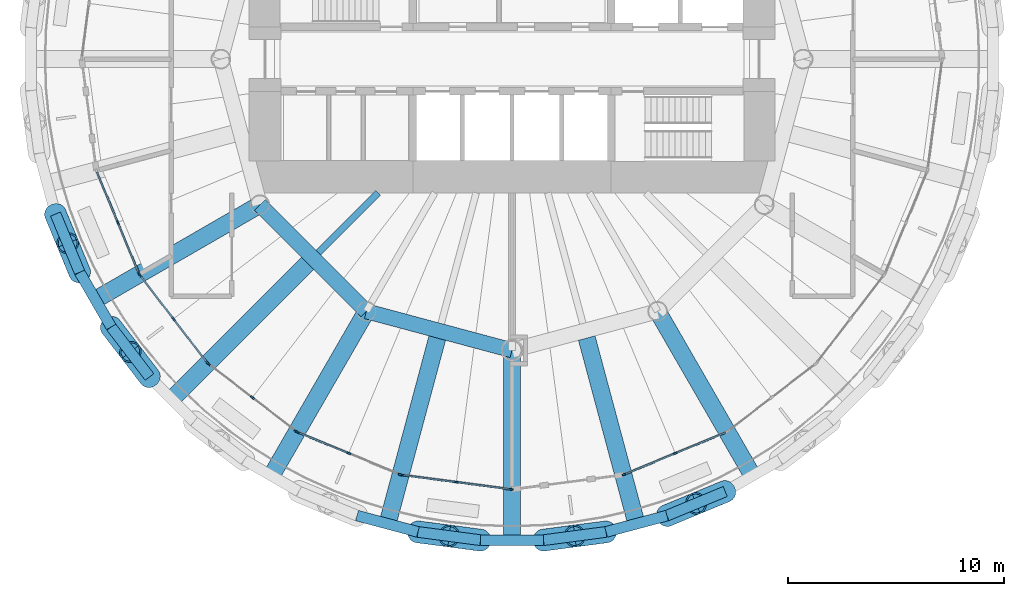
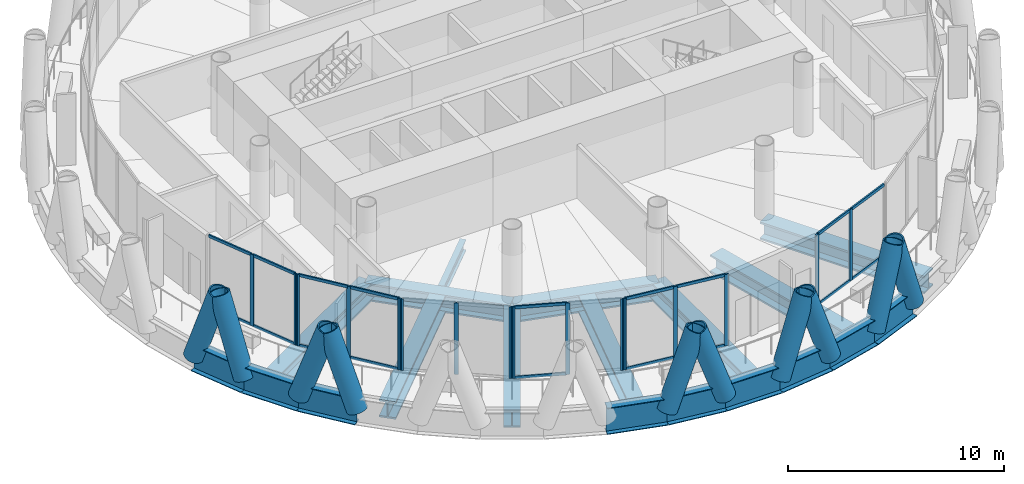
# One storey, part 2 of 14: 44 members, 19 beams, 6 elements without a shape of their own.
"""IFC4 building model written with IfcOpenShell, lengths in metres."""

import ifcopenshell
import ifcopenshell.guid

model = None  # the IFC model being written
_history = None  # IfcOwnerHistory: only IFC2X3 demands one
_inside = {}  # id of a spatial element -> (the spatial element, [elements in it])
_under = {}  # id of a project, library or spatial element -> (it, [spatial elements below it])
_declared = {}  # id of a project -> (the project, [libraries it declares])
_typed = {}  # id of a type object -> (the type object, [elements of that type])
_made_of = {}  # id of a material, layer set ... -> (it, [elements and type objects made of it])


def new_model(schema):
    """Start an empty IFC model of exactly this schema.

    Asked for "IFC4X3", IfcOpenShell would pick the latest addendum, in which some entities
    have other attributes; the version numbers below select the first issue.
    IFC2X3 requires an IfcOwnerHistory on every rooted entity: one is made here for all.
    """
    global model, _history
    if schema == "IFC4X3":
        model = ifcopenshell.file(schema_version=(4, 3, 0, 0))
    else:
        model = ifcopenshell.file(schema=schema)
    _inside.clear()
    _under.clear()
    _declared.clear()
    _typed.clear()
    _made_of.clear()
    _history = None
    if model.schema == "IFC2X3":
        org = make("IfcOrganization", Name="unknown")
        user = make(
            "IfcPersonAndOrganization",
            ThePerson=make("IfcPerson", FamilyName="unknown"),
            TheOrganization=org,
        )
        app = make(
            "IfcApplication",
            ApplicationDeveloper=org,
            Version="unknown",
            ApplicationFullName="unknown",
            ApplicationIdentifier="unknown",
        )
        _history = make(
            "IfcOwnerHistory",
            OwningUser=user,
            OwningApplication=app,
            ChangeAction="ADDED",
            CreationDate=0,
        )
    return model


def make(cls, **values):
    """One entity of the class cls with the attributes given. An attribute that is None is left unset."""
    return model.create_entity(
        cls, **{name: value for name, value in values.items() if value is not None}
    )


def rooted(cls, **values):
    """An entity with a GlobalId (a new one), such as an element, a storey or a relation."""
    return make(cls, GlobalId=ifcopenshell.guid.new(), OwnerHistory=_history, **values)


def si_unit(unit_type, name, prefix=None):
    """IfcSIUnit, for example si_unit("LENGTHUNIT", "METRE", prefix="MILLI")."""
    return make("IfcSIUnit", UnitType=unit_type, Prefix=prefix, Name=name)


def assignment(units):
    """IfcUnitAssignment: the units of a project."""
    return None if units is None else make("IfcUnitAssignment", Units=units)


def point(xyz):
    """IfcCartesianPoint."""
    return None if xyz is None else make("IfcCartesianPoint", Coordinates=xyz)


def direction(xyz):
    """IfcDirection."""
    return None if xyz is None else make("IfcDirection", DirectionRatios=xyz)


def frame(location, z_axis=None, x_axis=None):
    """IfcAxis2Placement3D, a coordinate frame: its origin and axes. An axis left out is left unset."""
    return make(
        "IfcAxis2Placement3D",
        Location=point(location),
        Axis=direction(z_axis),
        RefDirection=direction(x_axis),
    )


def frame_2d(location, x_axis=None):
    """IfcAxis2Placement2D, a coordinate frame in the plane: its origin and x axis."""
    return make(
        "IfcAxis2Placement2D", Location=point(location), RefDirection=direction(x_axis)
    )


def origin():
    """The frame at (0, 0, 0) with its axes left unset."""
    return frame((0.0, 0.0, 0.0))


def origin_2d():
    """The frame at (0, 0) in the plane with its x axis left unset."""
    return frame_2d((0.0, 0.0))


def place(relative_to, where):
    """IfcLocalPlacement: puts the frame where relative to a parent placement (None: the world)."""
    return make(
        "IfcLocalPlacement", PlacementRelTo=relative_to, RelativePlacement=where
    )


def context(
    kind, dimensions, precision=None, world=None, true_north=None, identifier=None
):
    """IfcGeometricRepresentationContext, for example the 3D "Model" context."""
    return make(
        "IfcGeometricRepresentationContext",
        ContextIdentifier=identifier,
        ContextType=kind,
        CoordinateSpaceDimension=dimensions,
        Precision=precision,
        WorldCoordinateSystem=world,
        TrueNorth=true_north,
    )


def subcontext(parent, identifier, kind, view, scale=None):
    """IfcGeometricRepresentationSubContext, for example "Body" below "Model"."""
    return make(
        "IfcGeometricRepresentationSubContext",
        ContextIdentifier=identifier,
        ContextType=kind,
        ParentContext=parent,
        TargetScale=scale,
        TargetView=view,
    )


def project(units=None, contexts=None):
    """IfcProject with its units and contexts."""
    return rooted(
        "IfcProject",
        Name="project",
        RepresentationContexts=contexts,
        UnitsInContext=assignment(units),
    )


def spatial(cls, under=None, at=None, **own):
    """A site, building, storey or space (cls), placed at a placement, below another one or the project."""
    s = rooted(cls, ObjectPlacement=at, **own)
    if under is not None:
        _under.setdefault(under.id(), (under, []))[1].append(s)
    return s


def profile(cls, at=None, kind="AREA", **sizes):
    """A parametric profile (cls). Its sizes go by their IFC names, for example OverallWidth=200.0."""
    return make(cls, ProfileType=kind, Position=at, **sizes)


def rectangle(**sizes):
    """IfcRectangleProfileDef."""
    return profile("IfcRectangleProfileDef", **sizes)


def hollow_circle(**sizes):
    """IfcCircleHollowProfileDef."""
    return profile("IfcCircleHollowProfileDef", **sizes)


def i_section(**sizes):
    """IfcIShapeProfileDef."""
    return profile("IfcIShapeProfileDef", **sizes)


def extrude(swept, where, along, depth):
    """IfcExtrudedAreaSolid: the profile swept, set in the frame where, extruded along a direction by depth."""
    return make(
        "IfcExtrudedAreaSolid",
        SweptArea=swept,
        Position=where,
        ExtrudedDirection=direction(along),
        Depth=depth,
    )


def shape(context_of_items, identifier, shape_type, items):
    """IfcShapeRepresentation: the items that make up one representation, for example the "Body"."""
    return make(
        "IfcShapeRepresentation",
        ContextOfItems=context_of_items,
        RepresentationIdentifier=identifier,
        RepresentationType=shape_type,
        Items=items,
    )


def material(Name=None, Category=None):
    """IfcMaterial."""
    return make("IfcMaterial", Name=Name, Category=Category)


def material_profile(
    of_material, cross_section, Name=None, Category=None, Priority=None
):
    """IfcMaterialProfile: a cross section and its material."""
    return make(
        "IfcMaterialProfile",
        Name=Name,
        Material=of_material,
        Profile=cross_section,
        Priority=Priority,
        Category=Category,
    )


def profile_set(profiles, Name=None, composite=None):
    """IfcMaterialProfileSet."""
    return make(
        "IfcMaterialProfileSet",
        Name=Name,
        MaterialProfiles=profiles,
        CompositeProfile=composite,
    )


def made_of(thing, what):
    """Note that an element or type object is made of a material, layer set ...; save() writes the relation."""
    if what is not None:
        _made_of.setdefault(what.id(), (what, []))[1].append(thing)
    return thing


def type_object(cls, material=None, **own):
    """A type object (cls), such as IfcWallType, which elements share."""
    return made_of(rooted(cls, **own), material)


def element(
    cls,
    number,
    at=None,
    inside=None,
    cuts=None,
    type_object=None,
    material=None,
    context=None,
    identifier="Body",
    shape_type=None,
    held_by="IfcProductDefinitionShape",
    body=None,
    shapes=None,
    **own,
):
    """One element of the class cls, such as IfcWall. Its Tag is "e" and its number.

    at: its placement. inside: the storey or other place that contains it. cuts: it is an
    opening in that element (IfcRelVoidsElement). A single representation is given by context,
    identifier, shape_type and body (its items); several are given by shapes. held_by: the class
    of the entity that holds the representations. save() writes the other relations.
    """
    e = rooted(cls, Tag="e%d" % number, ObjectPlacement=at, **own)
    if body is not None:
        shapes = [shape(context, identifier, shape_type, body)]
    if shapes is not None:
        e.Representation = make(held_by, Representations=shapes)
    if inside is not None:
        _inside.setdefault(inside.id(), (inside, []))[1].append(e)
    if cuts is not None:
        rooted(
            "IfcRelVoidsElement", RelatingBuildingElement=cuts, RelatedOpeningElement=e
        )
    if type_object is not None:
        _typed.setdefault(type_object.id(), (type_object, []))[1].append(e)
    return made_of(e, material)


def aggregate(whole, parts):
    """IfcRelAggregates: a whole, such as a stair, and the parts it consists of."""
    return rooted("IfcRelAggregates", RelatingObject=whole, RelatedObjects=parts)


def save(model, path):
    """Write the relations noted so far, then the file.

    IfcRelAggregates (storeys below a building ...), IfcRelContainedInSpatialStructure (elements
    in a storey), IfcRelDefinesByType, IfcRelAssociatesMaterial and IfcRelDeclares: one each for
    every whole, place, type object, material and project.
    """
    for whole, parts in _under.values():
        aggregate(whole, parts)
    for where, things in _inside.values():
        rooted(
            "IfcRelContainedInSpatialStructure",
            RelatedElements=things,
            RelatingStructure=where,
        )
    for kind, things in _typed.values():
        rooted("IfcRelDefinesByType", RelatedObjects=things, RelatingType=kind)
    for what, things in _made_of.values():
        rooted("IfcRelAssociatesMaterial", RelatedObjects=things, RelatingMaterial=what)
    for by, libraries in _declared.values():
        rooted("IfcRelDeclares", RelatingContext=by, RelatedDefinitions=libraries)
    model.write(path)


model = new_model("IFC4")

# Units and contexts
model_context = context("Model", 3, precision=1e-05, world=origin(), true_north=direction((0.0, 1.0)))
body_context = subcontext(model_context, "Body", "Model", "MODEL_VIEW")
ifc_project = project(units=[si_unit("LENGTHUNIT", "METRE"), si_unit("AREAUNIT", "SQUARE_METRE"), si_unit("VOLUMEUNIT", "CUBIC_METRE"), si_unit("PLANEANGLEUNIT", "RADIAN"), si_unit("MASSUNIT", "GRAM", prefix="KILO")], contexts=[model_context])

# Site, building, storey
site_placement = place(None, origin())
site = spatial("IfcSite", under=ifc_project, at=site_placement, CompositionType="ELEMENT")
building_placement = place(site_placement, origin())
building = spatial("IfcBuilding", under=site, at=building_placement, Name="Qaws Media Tower", CompositionType="ELEMENT")
storey_placement = place(building_placement, frame((0.0, 0.0, 248.60009765625)))
storey = spatial("IfcBuildingStorey", under=building, at=storey_placement, Name="L57", CompositionType="ELEMENT", Elevation=248.60009765625)

# Curtain wall, members
ifc_material_1 = material(Name="Aluminium and clear glass", Category="aluminium")
curtain_wall_type = type_object("IfcCurtainWallType", Name="Unitised curtain wall CW-C", PredefinedType="NOTDEFINED", material=ifc_material_1)
curtain_wall_1_placement = place(storey_placement, origin())
curtain_wall_1 = element("IfcCurtainWall", 1, at=curtain_wall_1_placement, inside=storey, type_object=curtain_wall_type, Name="CWC curtain wall L57-14", PredefinedType="NOTDEFINED")
ifc_material_2 = material(Name="Aluminium mullion", Category="aluminium")
ifc_material_profile_1 = material_profile(ifc_material_2, rectangle(XDim=0.080078125, YDim=0.199951171875, at=origin_2d()), Name="80x200")
ifc_profile_set_1 = profile_set([ifc_material_profile_1], Name="Aluminium mullion")
member_type_1 = type_object("IfcMemberType", Name="Curtain wall mullion 80x200", PredefinedType="MULLION", material=ifc_profile_set_1)
member_1_placement = place(storey_placement, frame((41.726318359375, 42.4306640625, 0.0), z_axis=(0.0, 0.0, 1.0), x_axis=(0.923879560223, 0.382683365464, 0.0)))
member_1 = element("IfcMember", 2, at=member_1_placement, type_object=member_type_1, Name="CWC mullion 2", PredefinedType="MULLION", context=body_context, shape_type="SweptSolid", body=[
    extrude(rectangle(XDim=0.080078125, YDim=0.199951171875, at=origin_2d()), origin(), (0.0, 0.0, 1.0), 4.039794921875),
])
member_2_placement = place(storey_placement, frame((42.70751953125, 40.06201171875, 0.0), z_axis=(0.0, 0.0, 1.0), x_axis=(0.923879560223, 0.382683365464, 0.0)))
member_2 = element("IfcMember", 3, at=member_2_placement, type_object=member_type_1, Name="CWC mullion 3", PredefinedType="MULLION", context=body_context, shape_type="SweptSolid", body=[
    extrude(rectangle(XDim=0.080078125, YDim=0.199951171875, at=origin_2d()), origin(), (0.0, 0.0, 1.0), 4.039794921875),
])

curtain_wall_2_placement = place(storey_placement, origin())
curtain_wall_2 = element("IfcCurtainWall", 4, at=curtain_wall_2_placement, inside=storey, type_object=curtain_wall_type, Name="CWC curtain wall L57-15", PredefinedType="NOTDEFINED")
member_3_placement = place(storey_placement, frame((42.7470703125, 39.9931640625, 0.0), z_axis=(0.0, 0.0, 1.0), x_axis=(0.793353275596, 0.608761513321, 0.0)))
member_3 = element("IfcMember", 5, at=member_3_placement, type_object=member_type_1, Name="CWC mullion 1", PredefinedType="MULLION", context=body_context, shape_type="SweptSolid", body=[
    extrude(rectangle(XDim=0.080078125, YDim=0.199951171875, at=origin_2d()), origin(), (0.0, 0.0, 1.0), 4.039794921875),
])
member_4_placement = place(storey_placement, frame((44.30810546875, 37.959228515625, 0.0), z_axis=(0.0, 0.0, 1.0), x_axis=(0.793353275596, 0.608761513321, 0.0)))
member_4 = element("IfcMember", 6, at=member_4_placement, type_object=member_type_1, Name="CWC mullion 2", PredefinedType="MULLION", context=body_context, shape_type="SweptSolid", body=[
    extrude(rectangle(XDim=0.080078125, YDim=0.199951171875, at=origin_2d()), origin(), (0.0, 0.0, 1.0), 4.039794921875),
])
member_5_placement = place(storey_placement, frame((45.868896484375, 35.925048828125, 0.0), z_axis=(0.0, 0.0, 1.0), x_axis=(0.793353275596, 0.608761513321, 0.0)))
member_5 = element("IfcMember", 7, at=member_5_placement, type_object=member_type_1, Name="CWC mullion 3", PredefinedType="MULLION", context=body_context, shape_type="SweptSolid", body=[
    extrude(rectangle(XDim=0.080078125, YDim=0.199951171875, at=origin_2d()), origin(), (0.0, 0.0, 1.0), 4.039794921875),
])

curtain_wall_3_placement = place(storey_placement, origin())
curtain_wall_3 = element("IfcCurtainWall", 8, at=curtain_wall_3_placement, inside=storey, type_object=curtain_wall_type, Name="CWC curtain wall L57-16", PredefinedType="NOTDEFINED")
member_6_placement = place(storey_placement, frame((45.925048828125, 35.868896484375, 0.0), z_axis=(0.0, 0.0, 1.0), x_axis=(0.608761513321, 0.793353275596, 0.0)))
member_6 = element("IfcMember", 9, at=member_6_placement, type_object=member_type_1, Name="CWC mullion 1", PredefinedType="MULLION", context=body_context, shape_type="SweptSolid", body=[
    extrude(rectangle(XDim=0.080078125, YDim=0.199951171875, at=origin_2d()), origin(), (0.0, 0.0, 1.0), 4.039794921875),
])
member_7_placement = place(storey_placement, frame((47.959228515625, 34.30810546875, 0.0), z_axis=(0.0, 0.0, 1.0), x_axis=(0.608761513321, 0.793353275596, 0.0)))
member_7 = element("IfcMember", 10, at=member_7_placement, type_object=member_type_1, Name="CWC mullion 2", PredefinedType="MULLION", context=body_context, shape_type="SweptSolid", body=[
    extrude(rectangle(XDim=0.080078125, YDim=0.199951171875, at=origin_2d()), origin(), (0.0, 0.0, 1.0), 4.039794921875),
])
member_8_placement = place(storey_placement, frame((49.9931640625, 32.7470703125, 0.0), z_axis=(0.0, 0.0, 1.0), x_axis=(0.608761513321, 0.793353275596, 0.0)))
member_8 = element("IfcMember", 11, at=member_8_placement, type_object=member_type_1, Name="CWC mullion 3", PredefinedType="MULLION", context=body_context, shape_type="SweptSolid", body=[
    extrude(rectangle(XDim=0.080078125, YDim=0.199951171875, at=origin_2d()), origin(), (0.0, 0.0, 1.0), 4.039794921875),
])
aggregate(curtain_wall_3, [member_6, member_7, member_8])

curtain_wall_4_placement = place(storey_placement, origin())
curtain_wall_4 = element("IfcCurtainWall", 12, at=curtain_wall_4_placement, inside=storey, type_object=curtain_wall_type, Name="CWC curtain wall L57-17", PredefinedType="NOTDEFINED")
member_9_placement = place(storey_placement, frame((50.06201171875, 32.70751953125, 0.0), z_axis=(0.0, 0.0, 1.0), x_axis=(0.382683365464, 0.923879560223, 0.0)))
member_9 = element("IfcMember", 13, at=member_9_placement, type_object=member_type_1, Name="CWC mullion 1", PredefinedType="MULLION", context=body_context, shape_type="SweptSolid", body=[
    extrude(rectangle(XDim=0.080078125, YDim=0.199951171875, at=origin_2d()), origin(), (0.0, 0.0, 1.0), 4.039794921875),
])
member_10_placement = place(storey_placement, frame((52.4306640625, 31.726318359375, 0.0), z_axis=(0.0, 0.0, 1.0), x_axis=(0.382683365464, 0.923879560223, 0.0)))
member_10 = element("IfcMember", 14, at=member_10_placement, type_object=member_type_1, Name="CWC mullion 2", PredefinedType="MULLION", context=body_context, shape_type="SweptSolid", body=[
    extrude(rectangle(XDim=0.080078125, YDim=0.199951171875, at=origin_2d()), origin(), (0.0, 0.0, 1.0), 4.039794921875),
])
member_11_placement = place(storey_placement, frame((54.799560546875, 30.7451171875, 0.0), z_axis=(0.0, 0.0, 1.0), x_axis=(0.382683365464, 0.923879560223, 0.0)))
member_11 = element("IfcMember", 15, at=member_11_placement, type_object=member_type_1, Name="CWC mullion 3", PredefinedType="MULLION", context=body_context, shape_type="SweptSolid", body=[
    extrude(rectangle(XDim=0.080078125, YDim=0.199951171875, at=origin_2d()), origin(), (0.0, 0.0, 1.0), 4.039794921875),
])

curtain_wall_5_placement = place(storey_placement, origin())
curtain_wall_5 = element("IfcCurtainWall", 16, at=curtain_wall_5_placement, inside=storey, type_object=curtain_wall_type, Name="CWC curtain wall L57-18", PredefinedType="NOTDEFINED")
member_12_placement = place(storey_placement, frame((54.876220703125, 30.724609375, 0.0), z_axis=(0.0, 0.0, 1.0), x_axis=(0.13052623522, 0.991444855713, 0.0)))
member_12 = element("IfcMember", 17, at=member_12_placement, type_object=member_type_1, Name="CWC mullion 1", PredefinedType="MULLION", context=body_context, shape_type="SweptSolid", body=[
    extrude(rectangle(XDim=0.080078125, YDim=0.199951171875, at=origin_2d()), origin(), (0.0, 0.0, 1.0), 4.039794921875),
])
member_13_placement = place(storey_placement, frame((57.418212890625, 30.389892578125, 0.0), z_axis=(0.0, 0.0, 1.0), x_axis=(0.13052623522, 0.991444855713, 0.0)))
member_13 = element("IfcMember", 18, at=member_13_placement, type_object=member_type_1, Name="CWC mullion 2", PredefinedType="MULLION", context=body_context, shape_type="SweptSolid", body=[
    extrude(rectangle(XDim=0.080078125, YDim=0.199951171875, at=origin_2d()), origin(), (0.0, 0.0, 1.0), 4.039794921875),
])
member_14_placement = place(storey_placement, frame((59.96044921875, 30.05517578125, 0.0), z_axis=(0.0, 0.0, 1.0), x_axis=(0.13052623522, 0.991444855713, 0.0)))
member_14 = element("IfcMember", 19, at=member_14_placement, type_object=member_type_1, Name="CWC mullion 3", PredefinedType="MULLION", context=body_context, shape_type="SweptSolid", body=[
    extrude(rectangle(XDim=0.080078125, YDim=0.199951171875, at=origin_2d()), origin(), (0.0, 0.0, 1.0), 4.039794921875),
])

curtain_wall_6_placement = place(storey_placement, origin())
curtain_wall_6 = element("IfcCurtainWall", 20, at=curtain_wall_6_placement, inside=storey, type_object=curtain_wall_type, Name="CWC curtain wall L57-20", PredefinedType="NOTDEFINED")
member_15_placement = place(storey_placement, frame((65.200439453125, 30.7451171875, 0.0), z_axis=(0.0, 0.0, 1.0), x_axis=(-0.382683365464, 0.923879560223, 0.0)))
member_15 = element("IfcMember", 21, at=member_15_placement, type_object=member_type_1, Name="CWC mullion 1", PredefinedType="MULLION", context=body_context, shape_type="SweptSolid", body=[
    extrude(rectangle(XDim=0.080078125, YDim=0.199951171875, at=origin_2d()), origin(), (0.0, 0.0, 1.0), 4.039794921875),
])
member_16_placement = place(storey_placement, frame((67.5693359375, 31.726318359375, 0.0), z_axis=(0.0, 0.0, 1.0), x_axis=(-0.382683365464, 0.923879560223, 0.0)))
member_16 = element("IfcMember", 22, at=member_16_placement, type_object=member_type_1, Name="CWC mullion 2", PredefinedType="MULLION", context=body_context, shape_type="SweptSolid", body=[
    extrude(rectangle(XDim=0.080078125, YDim=0.199951171875, at=origin_2d()), origin(), (0.0, 0.0, 1.0), 4.039794921875),
])

# Member
ifc_material_3 = material(Name="Aluminium transom", Category="aluminium")
ifc_material_profile_2 = material_profile(ifc_material_3, rectangle(XDim=0.080078125, YDim=0.159912109375, at=origin_2d()), Name="80x160")
ifc_profile_set_2 = profile_set([ifc_material_profile_2], Name="Aluminium transom")
member_type_2 = type_object("IfcMemberType", Name="Curtain wall transom 80x160", PredefinedType="USERDEFINED", material=ifc_profile_set_2)
member_17_placement = place(storey_placement, frame((40.760498046875, 44.7626953125, 0.039794921875), z_axis=(0.382632467655, -0.923900641139, 0.0), x_axis=(0.923900641139, 0.382632467655, 0.0)))
member_17 = element("IfcMember", 23, at=member_17_placement, type_object=member_type_2, Name="CWC transom 1.1", ObjectType="TRANSOM", PredefinedType="USERDEFINED", context=body_context, shape_type="SweptSolid", body=[
    extrude(rectangle(XDim=0.080078125, YDim=0.159912109375, at=origin_2d()), origin(), (0.0, 0.0, 1.0), 2.48388671875),
])

member_18_placement = place(storey_placement, frame((40.760498046875, 44.7626953125, 4.0), z_axis=(0.382632467655, -0.923900641139, 0.0), x_axis=(0.923900641139, 0.382632467655, 0.0)))
member_18 = element("IfcMember", 24, at=member_18_placement, type_object=member_type_2, Name="CWC transom 1.2", ObjectType="TRANSOM", PredefinedType="USERDEFINED", context=body_context, shape_type="SweptSolid", body=[
    extrude(rectangle(XDim=0.080078125, YDim=0.159912109375, at=origin_2d()), origin(), (0.0, 0.0, 1.0), 2.48388671875),
])

member_19_placement = place(storey_placement, frame((41.74169921875, 42.393798828125, 0.039794921875), z_axis=(0.382632467655, -0.923900641139, 0.0), x_axis=(0.923900641139, 0.382632467655, 0.0)))
member_19 = element("IfcMember", 25, at=member_19_placement, type_object=member_type_2, Name="CWC transom 2.1", ObjectType="TRANSOM", PredefinedType="USERDEFINED", context=body_context, shape_type="SweptSolid", body=[
    extrude(rectangle(XDim=0.080078125, YDim=0.159912109375, at=origin_2d()), origin(), (0.0, 0.0, 1.0), 2.48388671875),
])

member_20_placement = place(storey_placement, frame((41.74169921875, 42.393798828125, 4.0), z_axis=(0.382632467655, -0.923900641139, 0.0), x_axis=(0.923900641139, 0.382632467655, 0.0)))
member_20 = element("IfcMember", 26, at=member_20_placement, type_object=member_type_2, Name="CWC transom 2.2", ObjectType="TRANSOM", PredefinedType="USERDEFINED", context=body_context, shape_type="SweptSolid", body=[
    extrude(rectangle(XDim=0.080078125, YDim=0.159912109375, at=origin_2d()), origin(), (0.0, 0.0, 1.0), 2.48388671875),
])

aggregate(curtain_wall_1, [member_1, member_2, member_17, member_18, member_19, member_20])

member_21_placement = place(storey_placement, frame((42.771484375, 39.96142578125, 0.039794921875), z_axis=(0.608769876249, -0.793346858424, 0.0), x_axis=(0.793346858424, 0.608769876249, 0.0)))
member_21 = element("IfcMember", 27, at=member_21_placement, type_object=member_type_2, Name="CWC transom 1.1", ObjectType="TRANSOM", PredefinedType="USERDEFINED", context=body_context, shape_type="SweptSolid", body=[
    extrude(rectangle(XDim=0.080078125, YDim=0.159912109375, at=origin_2d()), origin(), (0.0, 0.0, 1.0), 2.484130859375),
])

member_22_placement = place(storey_placement, frame((42.771484375, 39.96142578125, 4.0), z_axis=(0.608769876249, -0.793346858424, 0.0), x_axis=(0.793346858424, 0.608769876249, 0.0)))
member_22 = element("IfcMember", 28, at=member_22_placement, type_object=member_type_2, Name="CWC transom 1.2", ObjectType="TRANSOM", PredefinedType="USERDEFINED", context=body_context, shape_type="SweptSolid", body=[
    extrude(rectangle(XDim=0.080078125, YDim=0.159912109375, at=origin_2d()), origin(), (0.0, 0.0, 1.0), 2.484130859375),
])

member_23_placement = place(storey_placement, frame((44.332275390625, 37.927490234375, 0.039794921875), z_axis=(0.608769876249, -0.793346858424, 0.0), x_axis=(0.793346858424, 0.608769876249, 0.0)))
member_23 = element("IfcMember", 29, at=member_23_placement, type_object=member_type_2, Name="CWC transom 2.1", ObjectType="TRANSOM", PredefinedType="USERDEFINED", context=body_context, shape_type="SweptSolid", body=[
    extrude(rectangle(XDim=0.080078125, YDim=0.159912109375, at=origin_2d()), origin(), (0.0, 0.0, 1.0), 2.484130859375),
])

member_24_placement = place(storey_placement, frame((44.332275390625, 37.927490234375, 4.0), z_axis=(0.608769876249, -0.793346858424, 0.0), x_axis=(0.793346858424, 0.608769876249, 0.0)))
member_24 = element("IfcMember", 30, at=member_24_placement, type_object=member_type_2, Name="CWC transom 2.2", ObjectType="TRANSOM", PredefinedType="USERDEFINED", context=body_context, shape_type="SweptSolid", body=[
    extrude(rectangle(XDim=0.080078125, YDim=0.159912109375, at=origin_2d()), origin(), (0.0, 0.0, 1.0), 2.484130859375),
])

aggregate(curtain_wall_2, [member_3, member_4, member_5, member_21, member_22, member_23, member_24])

member_25_placement = place(storey_placement, frame((50.098876953125, 32.692138671875, 0.039794921875), z_axis=(0.923900641139, -0.382632467655, 0.0), x_axis=(0.382632467655, 0.923900641139, 0.0)))
member_25 = element("IfcMember", 31, at=member_25_placement, type_object=member_type_2, Name="CWC transom 1.1", ObjectType="TRANSOM", PredefinedType="USERDEFINED", context=body_context, shape_type="SweptSolid", body=[
    extrude(rectangle(XDim=0.080078125, YDim=0.159912109375, at=origin_2d()), origin(), (0.0, 0.0, 1.0), 2.48388671875),
])

member_26_placement = place(storey_placement, frame((50.098876953125, 32.692138671875, 4.0), z_axis=(0.923900641139, -0.382632467655, 0.0), x_axis=(0.382632467655, 0.923900641139, 0.0)))
member_26 = element("IfcMember", 32, at=member_26_placement, type_object=member_type_2, Name="CWC transom 1.2", ObjectType="TRANSOM", PredefinedType="USERDEFINED", context=body_context, shape_type="SweptSolid", body=[
    extrude(rectangle(XDim=0.080078125, YDim=0.159912109375, at=origin_2d()), origin(), (0.0, 0.0, 1.0), 2.48388671875),
])

aggregate(curtain_wall_4, [member_9, member_10, member_11, member_25, member_26])

member_27_placement = place(storey_placement, frame((54.915771484375, 30.71923828125, 0.039794921875), z_axis=(0.991446265366, -0.130515527399, 0.0), x_axis=(0.130515527399, 0.991446265366, 0.0)))
member_27 = element("IfcMember", 33, at=member_27_placement, type_object=member_type_2, Name="CWC transom 1.1", ObjectType="TRANSOM", PredefinedType="USERDEFINED", context=body_context, shape_type="SweptSolid", body=[
    extrude(rectangle(XDim=0.080078125, YDim=0.159912109375, at=origin_2d()), origin(), (0.0, 0.0, 1.0), 2.484130859375),
])

member_28_placement = place(storey_placement, frame((54.915771484375, 30.71923828125, 4.0), z_axis=(0.991446265366, -0.130515527399, 0.0), x_axis=(0.130515527399, 0.991446265366, 0.0)))
member_28 = element("IfcMember", 34, at=member_28_placement, type_object=member_type_2, Name="CWC transom 1.2", ObjectType="TRANSOM", PredefinedType="USERDEFINED", context=body_context, shape_type="SweptSolid", body=[
    extrude(rectangle(XDim=0.080078125, YDim=0.159912109375, at=origin_2d()), origin(), (0.0, 0.0, 1.0), 2.484130859375),
])

member_29_placement = place(storey_placement, frame((57.4580078125, 30.384765625, 0.039794921875), z_axis=(0.991444590994, -0.130528245944, 0.0), x_axis=(0.130528245944, 0.991444590994, 0.0)))
member_29 = element("IfcMember", 35, at=member_29_placement, type_object=member_type_2, Name="CWC transom 2.1", ObjectType="TRANSOM", PredefinedType="USERDEFINED", context=body_context, shape_type="SweptSolid", body=[
    extrude(rectangle(XDim=0.080078125, YDim=0.159912109375, at=origin_2d()), origin(), (0.0, 0.0, 1.0), 2.48388671875),
])

member_30_placement = place(storey_placement, frame((57.4580078125, 30.384765625, 4.0), z_axis=(0.991444590994, -0.130528245944, 0.0), x_axis=(0.130528245944, 0.991444590994, 0.0)))
member_30 = element("IfcMember", 36, at=member_30_placement, type_object=member_type_2, Name="CWC transom 2.2", ObjectType="TRANSOM", PredefinedType="USERDEFINED", context=body_context, shape_type="SweptSolid", body=[
    extrude(rectangle(XDim=0.080078125, YDim=0.159912109375, at=origin_2d()), origin(), (0.0, 0.0, 1.0), 2.48388671875),
])

aggregate(curtain_wall_5, [member_12, member_13, member_14, member_27, member_28, member_29, member_30])

member_31_placement = place(storey_placement, frame((65.2373046875, 30.760498046875, 0.039794921875), z_axis=(0.923900641139, 0.382632467655, 0.0), x_axis=(-0.382632467655, 0.923900641139, 0.0)))
member_31 = element("IfcMember", 37, at=member_31_placement, type_object=member_type_2, Name="CWC transom 1.1", ObjectType="TRANSOM", PredefinedType="USERDEFINED", context=body_context, shape_type="SweptSolid", body=[
    extrude(rectangle(XDim=0.080078125, YDim=0.159912109375, at=origin_2d()), origin(), (0.0, 0.0, 1.0), 2.48388671875),
])

member_32_placement = place(storey_placement, frame((65.2373046875, 30.760498046875, 4.0), z_axis=(0.923900641139, 0.382632467655, 0.0), x_axis=(-0.382632467655, 0.923900641139, 0.0)))
member_32 = element("IfcMember", 38, at=member_32_placement, type_object=member_type_2, Name="CWC transom 1.2", ObjectType="TRANSOM", PredefinedType="USERDEFINED", context=body_context, shape_type="SweptSolid", body=[
    extrude(rectangle(XDim=0.080078125, YDim=0.159912109375, at=origin_2d()), origin(), (0.0, 0.0, 1.0), 2.48388671875),
])

member_33_placement = place(storey_placement, frame((67.606201171875, 31.74169921875, 0.039794921875), z_axis=(0.923900641139, 0.382632467655, 0.0), x_axis=(-0.382632467655, 0.923900641139, 0.0)))
member_33 = element("IfcMember", 39, at=member_33_placement, type_object=member_type_2, Name="CWC transom 2.1", ObjectType="TRANSOM", PredefinedType="USERDEFINED", context=body_context, shape_type="SweptSolid", body=[
    extrude(rectangle(XDim=0.080078125, YDim=0.159912109375, at=origin_2d()), origin(), (0.0, 0.0, 1.0), 2.48388671875),
])

member_34_placement = place(storey_placement, frame((67.606201171875, 31.74169921875, 4.0), z_axis=(0.923900641139, 0.382632467655, 0.0), x_axis=(-0.382632467655, 0.923900641139, 0.0)))
member_34 = element("IfcMember", 40, at=member_34_placement, type_object=member_type_2, Name="CWC transom 2.2", ObjectType="TRANSOM", PredefinedType="USERDEFINED", context=body_context, shape_type="SweptSolid", body=[
    extrude(rectangle(XDim=0.080078125, YDim=0.159912109375, at=origin_2d()), origin(), (0.0, 0.0, 1.0), 2.48388671875),
])

aggregate(curtain_wall_6, [member_15, member_16, member_31, member_32, member_33, member_34])

# Members
ifc_material_4 = material(Name="Steel S460", Category="steel")
ifc_material_profile_3 = material_profile(ifc_material_4, hollow_circle(Radius=0.508056640625, WallThickness=0.070068359375, at=origin_2d()), Name="CHS 1016x70")
ifc_profile_set_3 = profile_set([ifc_material_profile_3], Name="Steel S460")
member_type_3 = type_object("IfcMemberType", Name="Diagrid member CHS 1016x70", PredefinedType="USERDEFINED", material=ifc_profile_set_3)
for number, where, z_axis, x_axis, name in (
    (41, (38.836181640625, 42.81591796875, -0.91015625), (0.126212332869, -0.303535445165, 0.944423994062), (0.923358307497, 0.383939364973, 0.0), "DG3 diagrid L57 A14"),
    (42, (41.416748046875, 37.5830078125, -0.91015625), (0.200438651735, -0.2604988777, 0.944438818351), (0.792543262775, 0.609815690704, 0.0), "DG3 diagrid L57 A15"),
    (43, (39.954833984375, 40.11474609375, -0.91015625), (-0.125335260643, 0.303868010364, 0.944433854072), (-0.924449640149, -0.381304160517, 0.0), "DG3 diagrid L57 B15"),
    (44, (43.1962890625, 35.263671875, -0.91015625), (-0.199724883041, 0.261047778686, 0.9444384725), (-0.794210841026, -0.607642279632, 0.0), "DG3 diagrid L57 B16"),
    (45, (55.6396484375, 28.079345703125, -0.91015625), (0.325988765013, -0.042381833377, 0.944423160074), (0.128925083807, 0.991654336332, 0.0), "DG3 diagrid L57 A18"),
    (46, (61.461669921875, 27.69775390625, -0.91015625), (0.325826976487, 0.043425297119, 0.944431588292), (-0.13210902059, 0.991235192413, 0.0), "DG3 diagrid L57 A19"),
    (47, (58.538330078125, 27.69775390625, -0.91015625), (-0.325826976487, 0.043425297119, 0.944431588292), (-0.13210902059, -0.991235192413, 0.0), "DG3 diagrid L57 B19"),
    (48, (67.18408203125, 28.836181640625, -0.91015625), (0.303535445165, 0.126212332869, 0.944423994062), (-0.383939364973, 0.923358307497, 0.0), "DG3 diagrid L57 A20"),
    (49, (64.3603515625, 28.079345703125, -0.91015625), (-0.325988765013, -0.042381833377, 0.944423160074), (0.128925083807, -0.991654336332, 0.0), "DG3 diagrid L57 B20"),
    (50, (69.88525390625, 29.954833984375, -0.91015625), (-0.303868010364, -0.125335260643, 0.944433854072), (0.381304160517, -0.924449640149, 0.0), "DG3 diagrid L57 B21"),
):
    element("IfcMember", number, at=place(storey_placement, frame(where, z_axis=z_axis, x_axis=x_axis)), inside=storey, type_object=member_type_3, Name=name, ObjectType="DIAGRID", PredefinedType="USERDEFINED", context=body_context, shape_type="SweptSolid", body=[
        extrude(hollow_circle(Radius=0.508056640625, WallThickness=0.070068359375, at=origin_2d()), origin(), (0.0, 0.0, 1.0), 4.447021484375),
    ])

# Beams
ifc_material_5 = material(Name="Steel S460", Category="steel")
ifc_material_profile_4 = material_profile(ifc_material_5, i_section(OverallWidth=0.5, OverallDepth=1.5, WebThickness=0.02001953125, FlangeThickness=0.0400390625, at=origin_2d()), Name="PG 1500x500")
ifc_profile_set_4 = profile_set([ifc_material_profile_4], Name="Steel S460")
beam_type_1 = type_object("IfcBeamType", Name="Edge ring beam PG 1500x500", PredefinedType="BEAM", material=ifc_profile_set_4)
for number, where, z_axis, x_axis, name in (
    (51, (38.836181640625, 42.81591796875, -0.91015625), (0.382622215492, -0.923904886994, 0.0), (0.923904886994, 0.382622215492, 0.0), "RB4 edge ring beam L57-27"),
    (52, (39.954833984375, 40.11474609375, -0.91015625), (0.500054971751, -0.865993663503, 0.0), (0.865993663503, 0.500054971751, 0.0), "RB4 edge ring beam L57-28"),
):
    element("IfcBeam", number, at=place(storey_placement, frame(where, z_axis=z_axis, x_axis=x_axis)), inside=storey, type_object=beam_type_1, Name=name, PredefinedType="BEAM", context=body_context, shape_type="SweptSolid", body=[
        extrude(i_section(OverallWidth=0.5, OverallDepth=1.5, WebThickness=0.02001953125, FlangeThickness=0.0400390625, at=origin_2d()), origin(), (0.0, 0.0, 1.0), 2.923583984375),
    ])
for number, where, z_axis, x_axis, name in (
    (53, (41.416748046875, 37.5830078125, -0.91015625), (0.608729554356, -0.793377797555, 0.0), (0.793377797555, 0.608729554356, 0.0), "RB4 edge ring beam L57-29"),
    (54, (52.81591796875, 28.836181640625, -0.91015625), (0.965907040913, -0.258889142904, 0.0), (0.258889142904, 0.965907040913, 0.0), "RB4 edge ring beam L57-34"),
):
    element("IfcBeam", number, at=place(storey_placement, frame(where, z_axis=z_axis, x_axis=x_axis)), inside=storey, type_object=beam_type_1, Name=name, PredefinedType="BEAM", context=body_context, shape_type="SweptSolid", body=[
        extrude(i_section(OverallWidth=0.5, OverallDepth=1.5, WebThickness=0.02001953125, FlangeThickness=0.0400390625, at=origin_2d()), origin(), (0.0, 0.0, 1.0), 2.92333984375),
    ])
beam_1_placement = place(storey_placement, frame((55.6396484375, 28.079345703125, -0.91015625), z_axis=(0.991446051142, -0.130517154715, 0.0), x_axis=(0.130517154715, 0.991446051142, 0.0)))
element("IfcBeam", 55, at=beam_1_placement, inside=storey, type_object=beam_type_1, Name="RB4 edge ring beam L57-35", PredefinedType="BEAM", context=body_context, shape_type="SweptSolid", body=[
    extrude(i_section(OverallWidth=0.5, OverallDepth=1.5, WebThickness=0.02001953125, FlangeThickness=0.0400390625, at=origin_2d()), origin(), (0.0, 0.0, 1.0), 2.923583984375),
])
beam_2_placement = place(storey_placement, frame((58.538330078125, 27.69775390625, -0.91015625), z_axis=(1.0, 0.0, 0.0), x_axis=(0.0, 1.0, 0.0)))
element("IfcBeam", 56, at=beam_2_placement, inside=storey, type_object=beam_type_1, Name="RB4 edge ring beam L57-36", PredefinedType="BEAM", context=body_context, shape_type="SweptSolid", body=[
    extrude(i_section(OverallWidth=0.5, OverallDepth=1.5, WebThickness=0.02001953125, FlangeThickness=0.0400390625, at=origin_2d()), origin(), (0.0, 0.0, 1.0), 2.92333984375),
])
beam_3_placement = place(storey_placement, frame((61.461669921875, 27.69775390625, -0.91015625), z_axis=(0.991446051142, 0.130517154715, 0.0), x_axis=(-0.130517154715, 0.991446051142, 0.0)))
element("IfcBeam", 57, at=beam_3_placement, inside=storey, type_object=beam_type_1, Name="RB4 edge ring beam L57-37", PredefinedType="BEAM", context=body_context, shape_type="SweptSolid", body=[
    extrude(i_section(OverallWidth=0.5, OverallDepth=1.5, WebThickness=0.02001953125, FlangeThickness=0.0400390625, at=origin_2d()), origin(), (0.0, 0.0, 1.0), 2.923583984375),
])
beam_4_placement = place(storey_placement, frame((64.3603515625, 28.079345703125, -0.91015625), z_axis=(0.965907040913, 0.258889142904, 0.0), x_axis=(-0.258889142904, 0.965907040913, 0.0)))
element("IfcBeam", 58, at=beam_4_placement, inside=storey, type_object=beam_type_1, Name="RB4 edge ring beam L57-38", PredefinedType="BEAM", context=body_context, shape_type="SweptSolid", body=[
    extrude(i_section(OverallWidth=0.5, OverallDepth=1.5, WebThickness=0.02001953125, FlangeThickness=0.0400390625, at=origin_2d()), origin(), (0.0, 0.0, 1.0), 2.92333984375),
])
beam_5_placement = place(storey_placement, frame((67.18408203125, 28.836181640625, -0.91015625), z_axis=(0.923904886994, 0.382622215492, 0.0), x_axis=(-0.382622215492, 0.923904886994, 0.0)))
element("IfcBeam", 59, at=beam_5_placement, inside=storey, type_object=beam_type_1, Name="RB4 edge ring beam L57-39", PredefinedType="BEAM", context=body_context, shape_type="SweptSolid", body=[
    extrude(i_section(OverallWidth=0.5, OverallDepth=1.5, WebThickness=0.02001953125, FlangeThickness=0.0400390625, at=origin_2d()), origin(), (0.0, 0.0, 1.0), 2.923583984375),
])
ifc_material_6 = material(Name="Steel S460", Category="steel")
ifc_material_profile_5 = material_profile(ifc_material_6, i_section(OverallWidth=0.699951171875, OverallDepth=1.0, WebThickness=0.034912109375, FlangeThickness=0.090087890625, at=origin_2d()), Name="PG 1000x700")
ifc_profile_set_5 = profile_set([ifc_material_profile_5], Name="Steel S460")
beam_type_2 = type_object("IfcBeamType", Name="Inner ring girder PG 1000x700", PredefinedType="BEAM", material=ifc_profile_set_5)
beam_6_placement = place(storey_placement, frame((48.30859375, 43.25, -0.66015625), z_axis=(0.707106781187, -0.707106781187, 0.0), x_axis=(0.707106781187, 0.707106781187, 0.0)))
element("IfcBeam", 60, at=beam_6_placement, inside=storey, type_object=beam_type_2, Name="B3 inner ring beam L57 I08-I09", PredefinedType="BEAM", context=body_context, shape_type="SweptSolid", body=[
    extrude(i_section(OverallWidth=0.699951171875, OverallDepth=1.0, WebThickness=0.034912109375, FlangeThickness=0.090087890625, at=origin_2d()), origin(), (0.0, 0.0, 1.0), 6.98828125),
])
beam_7_placement = place(storey_placement, frame((53.25, 38.30859375, -0.66015625), z_axis=(0.965928090778, -0.258810593767, 0.0), x_axis=(0.258810593767, 0.965928090778, 0.0)))
element("IfcBeam", 61, at=beam_7_placement, inside=storey, type_object=beam_type_2, Name="B3 inner ring beam L57 I09-I10", PredefinedType="BEAM", context=body_context, shape_type="SweptSolid", body=[
    extrude(i_section(OverallWidth=0.699951171875, OverallDepth=1.0, WebThickness=0.034912109375, FlangeThickness=0.090087890625, at=origin_2d()), origin(), (0.0, 0.0, 1.0), 6.988037109375),
])
ifc_material_7 = material(Name="Steel S355", Category="steel")
ifc_material_profile_6 = material_profile(ifc_material_7, i_section(OverallWidth=0.304931640625, OverallDepth=0.6201171875, WebThickness=0.02099609375, FlangeThickness=0.0400390625, FilletRadius=0.027099609375, at=origin_2d()), Name="HE 600 M")
ifc_profile_set_6 = profile_set([ifc_material_profile_6], Name="Steel S355")
beam_type_3 = type_object("IfcBeamType", Name="Radial beam HE 600 M, core side", PredefinedType="BEAM", material=ifc_profile_set_6)
beam_8_placement = place(storey_placement, frame((53.800048828125, 43.800048828125, -0.47021484375), z_axis=(-0.707106781187, -0.707106781187, 0.0), x_axis=(0.707106781187, -0.707106781187, 0.0)))
element("IfcBeam", 62, at=beam_8_placement, inside=storey, type_object=beam_type_3, Name="B2 radial beam L57 16", PredefinedType="BEAM", context=body_context, shape_type="SweptSolid", body=[
    extrude(i_section(OverallWidth=0.304931640625, OverallDepth=0.6201171875, WebThickness=0.02099609375, FlangeThickness=0.0400390625, FilletRadius=0.027099609375, at=origin_2d()), origin(), (0.0, 0.0, 1.0), 3.921875),
])
ifc_material_8 = material(Name="Steel S460", Category="steel")
ifc_material_profile_7 = material_profile(ifc_material_8, i_section(OverallWidth=0.800048828125, OverallDepth=1.0, WebThickness=0.0400390625, FlangeThickness=0.10009765625, at=origin_2d()), Name="PG 1000x800")
ifc_profile_set_7 = profile_set([ifc_material_profile_7], Name="Steel S460")
beam_type_4 = type_object("IfcBeamType", Name="Radial girder PG 1000x800", PredefinedType="BEAM", material=ifc_profile_set_7)
beam_9_placement = place(storey_placement, frame((48.30859375, 43.25, -0.66015625), z_axis=(-0.866020689157, -0.500008165885, 0.0), x_axis=(0.500008165885, -0.866020689157, 0.0)))
element("IfcBeam", 63, at=beam_9_placement, inside=storey, type_object=beam_type_4, Name="B1 radial beam L57 15", PredefinedType="BEAM", context=body_context, shape_type="SweptSolid", body=[
    extrude(i_section(OverallWidth=0.800048828125, OverallDepth=1.0, WebThickness=0.0400390625, FlangeThickness=0.10009765625, at=origin_2d()), origin(), (0.0, 0.0, 1.0), 8.802001953125),
])
beam_10_placement = place(storey_placement, frame((50.53173828125, 40.53173828125, -0.66015625), z_axis=(-0.707106781187, -0.707106781187, 0.0), x_axis=(0.707106781187, -0.707106781187, 0.0)))
element("IfcBeam", 64, at=beam_10_placement, inside=storey, type_object=beam_type_4, Name="B1 radial beam L57 16", PredefinedType="BEAM", context=body_context, shape_type="SweptSolid", body=[
    extrude(i_section(OverallWidth=0.800048828125, OverallDepth=1.0, WebThickness=0.0400390625, FlangeThickness=0.10009765625, at=origin_2d()), origin(), (0.0, 0.0, 1.0), 8.912109375),
])
beam_11_placement = place(storey_placement, frame((53.25, 38.30859375, -0.66015625), z_axis=(-0.500008165885, -0.866020689157, 0.0), x_axis=(0.866020689157, -0.500008165885, 0.0)))
element("IfcBeam", 65, at=beam_11_placement, inside=storey, type_object=beam_type_4, Name="B1 radial beam L57 17", PredefinedType="BEAM", context=body_context, shape_type="SweptSolid", body=[
    extrude(i_section(OverallWidth=0.800048828125, OverallDepth=1.0, WebThickness=0.0400390625, FlangeThickness=0.10009765625, at=origin_2d()), origin(), (0.0, 0.0, 1.0), 8.802001953125),
])
beam_12_placement = place(storey_placement, frame((56.534423828125, 37.066162109375, -0.66015625), z_axis=(-0.258821894319, -0.965925062839, 0.0), x_axis=(0.965925062839, -0.258821894319, 0.0)))
element("IfcBeam", 66, at=beam_12_placement, inside=storey, type_object=beam_type_4, Name="B1 radial beam L57 18", PredefinedType="BEAM", context=body_context, shape_type="SweptSolid", body=[
    extrude(i_section(OverallWidth=0.800048828125, OverallDepth=1.0, WebThickness=0.0400390625, FlangeThickness=0.10009765625, at=origin_2d()), origin(), (0.0, 0.0, 1.0), 8.912109375),
])
beam_13_placement = place(storey_placement, frame((60.0, 36.5, -0.66015625), z_axis=(0.0, -1.0, 0.0), x_axis=(1.0, 0.0, 0.0)))
element("IfcBeam", 67, at=beam_13_placement, inside=storey, type_object=beam_type_4, Name="B1 radial beam L57 19", PredefinedType="BEAM", context=body_context, shape_type="SweptSolid", body=[
    extrude(i_section(OverallWidth=0.800048828125, OverallDepth=1.0, WebThickness=0.0400390625, FlangeThickness=0.10009765625, at=origin_2d()), origin(), (0.0, 0.0, 1.0), 8.80224609375),
])
beam_14_placement = place(storey_placement, frame((63.465576171875, 37.066162109375, -0.66015625), z_axis=(0.258821894319, -0.965925062839, 0.0), x_axis=(0.965925062839, 0.258821894319, 0.0)))
element("IfcBeam", 68, at=beam_14_placement, inside=storey, type_object=beam_type_4, Name="B1 radial beam L57 20", PredefinedType="BEAM", context=body_context, shape_type="SweptSolid", body=[
    extrude(i_section(OverallWidth=0.800048828125, OverallDepth=1.0, WebThickness=0.0400390625, FlangeThickness=0.10009765625, at=origin_2d()), origin(), (0.0, 0.0, 1.0), 8.912109375),
])
beam_15_placement = place(storey_placement, frame((66.75, 38.30859375, -0.66015625), z_axis=(0.500008165885, -0.866020689157, 0.0), x_axis=(0.866020689157, 0.500008165885, 0.0)))
element("IfcBeam", 69, at=beam_15_placement, inside=storey, type_object=beam_type_4, Name="B1 radial beam L57 21", PredefinedType="BEAM", context=body_context, shape_type="SweptSolid", body=[
    extrude(i_section(OverallWidth=0.800048828125, OverallDepth=1.0, WebThickness=0.0400390625, FlangeThickness=0.10009765625, at=origin_2d()), origin(), (0.0, 0.0, 1.0), 8.802001953125),
])

save(model, "model.ifc")
